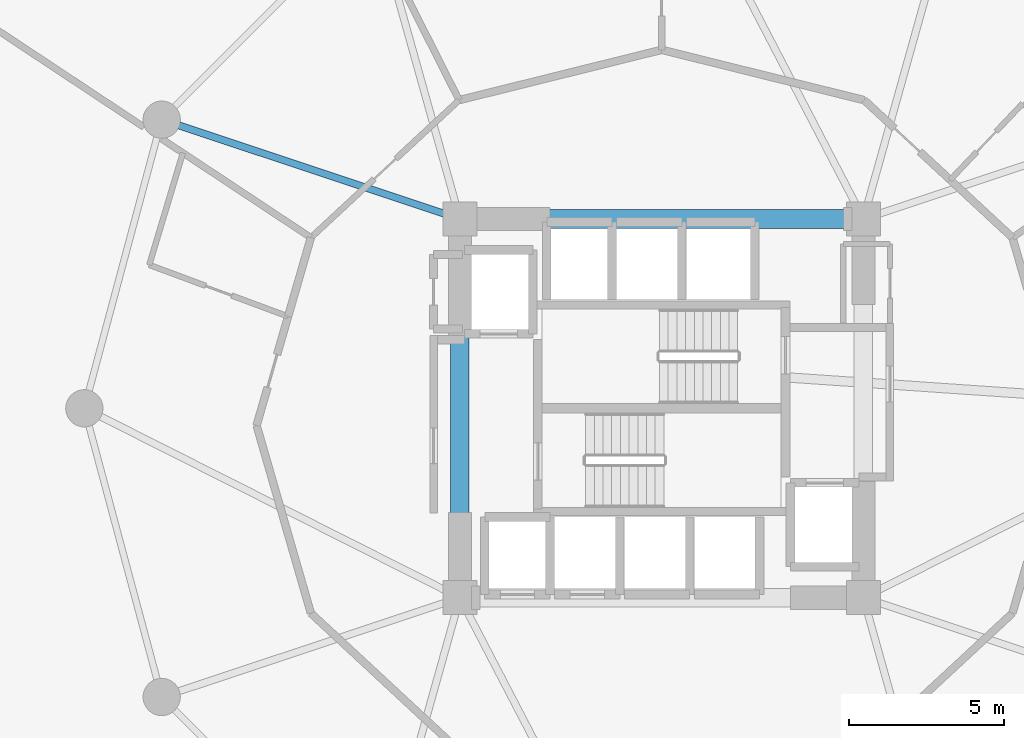
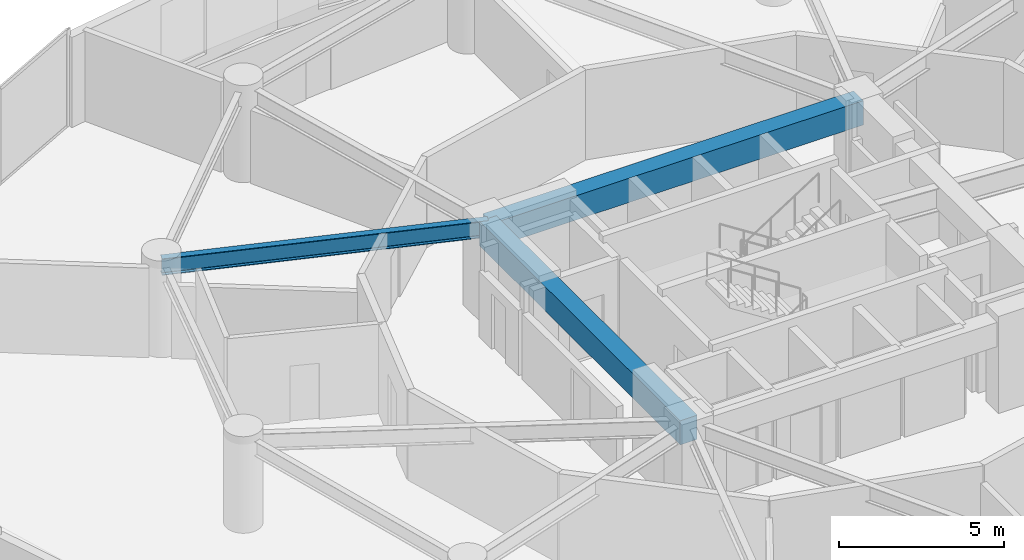
# One storey, part 9 of 22: 3 beams.
"""IFC4 building model written with IfcOpenShell, lengths in metres."""

from ifc_helpers import new_model, si_unit, direction, frame, origin, origin_2d, place, context, subcontext, project, spatial, rectangle, i_section, extrude, material, material_profile, profile_set, type_object, element, save


model = new_model("IFC4")

# Units and contexts
model_context = context("Model", 3, precision=1e-05, world=origin(), true_north=direction((0.0, 1.0)))
body_context = subcontext(model_context, "Body", "Model", "MODEL_VIEW")
ifc_project = project(units=[si_unit("LENGTHUNIT", "METRE"), si_unit("AREAUNIT", "SQUARE_METRE"), si_unit("VOLUMEUNIT", "CUBIC_METRE"), si_unit("PLANEANGLEUNIT", "RADIAN"), si_unit("MASSUNIT", "GRAM", prefix="KILO")], contexts=[model_context])

# Site, building, storey
site_placement = place(None, origin())
site = spatial("IfcSite", under=ifc_project, at=site_placement, CompositionType="ELEMENT")
building_placement = place(site_placement, origin())
building = spatial("IfcBuilding", under=site, at=building_placement, Name="Solvirekh Grand Hotel", CompositionType="ELEMENT")
storey_placement = place(building_placement, frame((0.0, 0.0, 53.60009765625)))
storey = spatial("IfcBuildingStorey", under=building, at=storey_placement, Name="L12", CompositionType="ELEMENT", Elevation=53.60009765625)

# Beams
ifc_material_1 = material(Name="Concrete C50/60", Category="concrete")
ifc_material_profile_1 = material_profile(ifc_material_1, rectangle(XDim=0.60009765625, YDim=0.89990234375, at=origin_2d()), Name="RC BEAM 600X900")
ifc_profile_set_1 = profile_set([ifc_material_profile_1], Name="Concrete C50/60")
beam_type_1 = type_object("IfcBeamType", Name="Beam_Core_RC900", PredefinedType="BEAM", material=ifc_profile_set_1)
beam_1_placement = place(storey_placement, frame((6.5, 6.10009765625, 2.889892578125), z_axis=(-1.0, 0.0, 0.0), x_axis=(0.0, -1.0, 0.0)))
element("IfcBeam", 1, at=beam_1_placement, inside=storey, type_object=beam_type_1, Name="L12 core coupling ring beam 3", PredefinedType="BEAM", context=body_context, shape_type="SweptSolid", body=[
    extrude(rectangle(XDim=0.60009765625, YDim=0.89990234375, at=origin_2d()), origin(), (0.0, 0.0, 1.0), 13.0),
])
beam_2_placement = place(storey_placement, frame((-6.5, 6.10009765625, 2.889892578125), z_axis=(0.0, -1.0, 0.0), x_axis=(1.0, 0.0, 0.0)))
element("IfcBeam", 2, at=beam_2_placement, inside=storey, type_object=beam_type_1, Name="L12 core coupling ring beam 4", PredefinedType="BEAM", context=body_context, shape_type="SweptSolid", body=[
    extrude(rectangle(XDim=0.60009765625, YDim=0.89990234375, at=origin_2d()), origin(), (0.0, 0.0, 1.0), 12.2001953125),
])
ifc_material_2 = material(Name="Steel S355", Category="steel")
ifc_material_profile_2 = material_profile(ifc_material_2, i_section(OverallWidth=0.22998046875, OverallDepth=0.615966796875, WebThickness=0.013916015625, FlangeThickness=0.02392578125, FilletRadius=0.014892578125, at=origin_2d()), Name="W610X174")
ifc_profile_set_2 = profile_set([ifc_material_profile_2], Name="Steel S355")
beam_type_2 = type_object("IfcBeamType", Name="Beam_Primary_W610H", PredefinedType="BEAM", material=ifc_profile_set_2)
beam_3_placement = place(storey_placement, frame((-6.5, 6.10009765625, 3.031982421875), z_axis=(-0.948762825819, 0.315989082635, 0.0), x_axis=(-0.315989082635, -0.948762825819, 0.0)))
element("IfcBeam", 3, at=beam_3_placement, inside=storey, type_object=beam_type_2, Name="L12 radial floor beam R06", PredefinedType="BEAM", context=body_context, shape_type="SweptSolid", body=[
    extrude(i_section(OverallWidth=0.22998046875, OverallDepth=0.615966796875, WebThickness=0.013916015625, FlangeThickness=0.02392578125, FilletRadius=0.014892578125, at=origin_2d()), origin(), (0.0, 0.0, 1.0), 10.126708984375),
])

save(model, "model.ifc")
